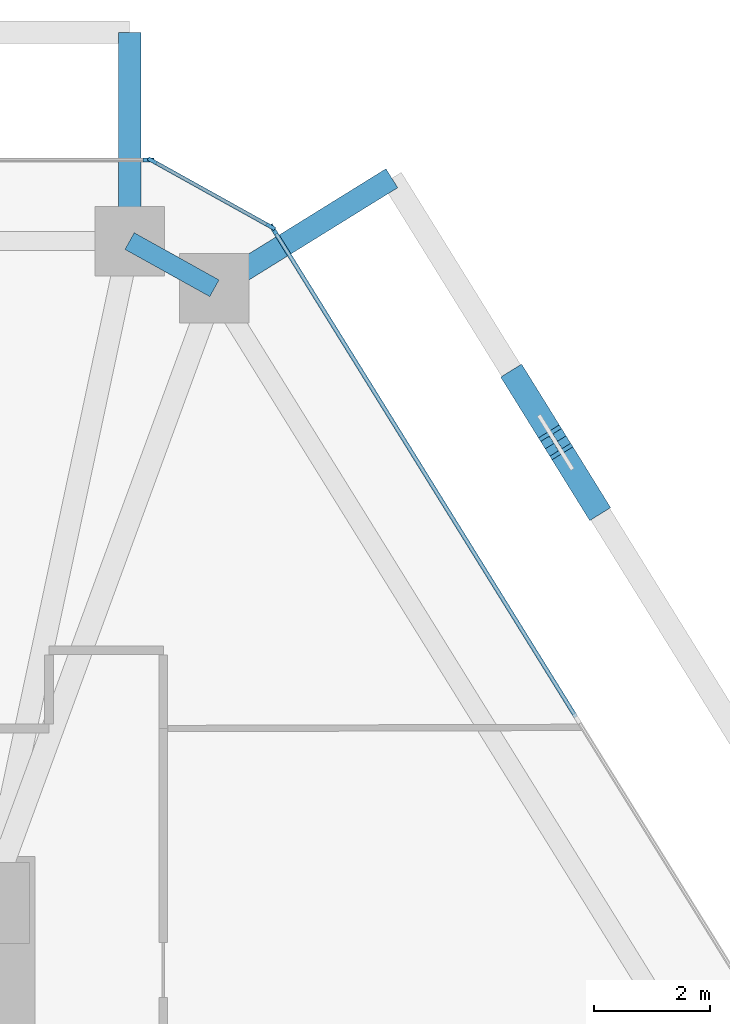
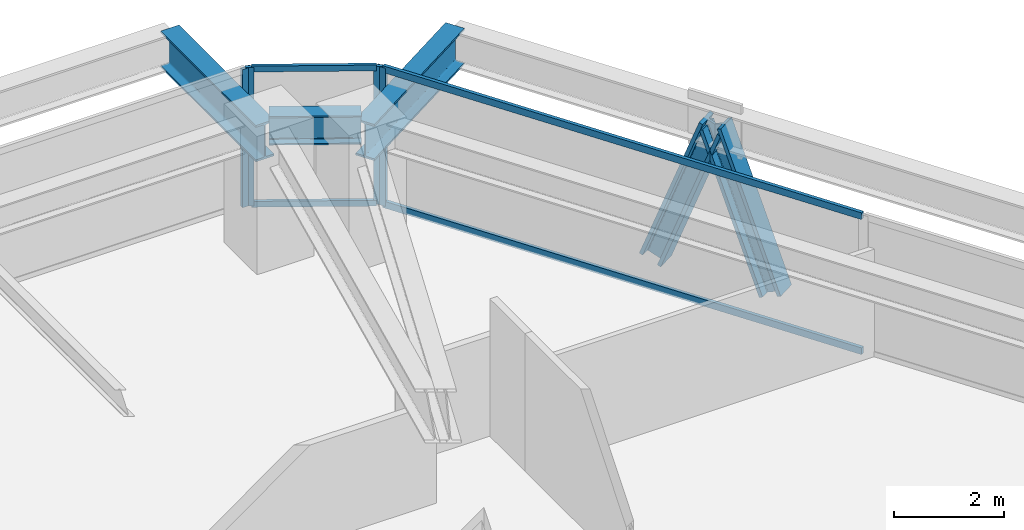
# One storey, part 8 of 15: 10 members, 3 beams, 3 elements without a shape of their own.
"""IFC4 building model written with IfcOpenShell, lengths in metres."""

from ifc_helpers import new_model, si_unit, direction, frame, origin, origin_2d, place, context, subcontext, project, spatial, rectangle, i_section, extrude, source, transform, mapped, material, layer, layer_set, material_profile, profile_set, type_object, type_shapes, element, aggregate, save


model = new_model("IFC4")

# Units and contexts
model_context = context("Model", 3, precision=1e-05, world=origin(), true_north=direction((0.0, 1.0)))
body_context = subcontext(model_context, "Body", "Model", "MODEL_VIEW")
ifc_project = project(units=[si_unit("LENGTHUNIT", "METRE"), si_unit("AREAUNIT", "SQUARE_METRE"), si_unit("VOLUMEUNIT", "CUBIC_METRE"), si_unit("PLANEANGLEUNIT", "RADIAN"), si_unit("MASSUNIT", "GRAM", prefix="KILO")], contexts=[model_context])

# Site, building, storey
site_placement = place(None, origin())
site = spatial("IfcSite", under=ifc_project, at=site_placement, CompositionType="ELEMENT")
building_placement = place(site_placement, origin())
building = spatial("IfcBuilding", under=site, at=building_placement, Name="Durnholm Broadcast Tower", CompositionType="ELEMENT")
storey_placement = place(building_placement, frame((0.0, 0.0, 97.5)))
storey = spatial("IfcBuildingStorey", under=building, at=storey_placement, Name="L25", CompositionType="ELEMENT", Elevation=97.5)

# Beams
ifc_material_1 = material(Name="Steel ASTM A992 Grade 50", Category="steel")
ifc_material_profile_1 = material_profile(ifc_material_1, i_section(OverallWidth=0.385009765625, OverallDepth=0.802978515625, WebThickness=0.023681640625, FlangeThickness=0.0419921875, FilletRadius=0.032958984375, at=origin_2d()), Name="W30X261")
ifc_profile_set_1 = profile_set([ifc_material_profile_1], Name="Steel ASTM A992 Grade 50")
beam_type_1 = type_object("IfcBeamType", Name="BM-EXO-TIE", PredefinedType="USERDEFINED", material=ifc_profile_set_1)
shared_shape_1 = source(origin(), body_context, "Body", "SweptSolid", [
    extrude(i_section(OverallWidth=0.385009765625, OverallDepth=0.802978515625, WebThickness=0.023681640625, FlangeThickness=0.0419921875, FilletRadius=0.032958984375, at=origin_2d()), origin(), (0.0, 0.0, 1.0), 3.4560546875),
])
beam_1_placement = place(storey_placement, frame((12.22998046875, 19.35888671875, 2.30859375), z_axis=(0.0, 1.0, 0.0), x_axis=(-1.0, 0.0, 0.0)))
element("IfcBeam", 1, at=beam_1_placement, inside=storey, type_object=beam_type_1, Name="L25 exoskeleton stand-off tie bracket F4.1", ObjectType="GIRDER", PredefinedType="USERDEFINED", context=body_context, shape_type="MappedRepresentation", body=[
    mapped(shared_shape_1, transform((0.0, 0.0, 0.0), x_axis=(1.0, 0.0, 0.0), y_axis=(0.0, 1.0, 0.0), z_axis=(0.0, 0.0, 1.0), scale=1.0)),
])
shared_shape_2 = source(origin(), body_context, "Body", "SweptSolid", [
    extrude(i_section(OverallWidth=0.385009765625, OverallDepth=0.802978515625, WebThickness=0.023681640625, FlangeThickness=0.0419921875, FilletRadius=0.032958984375, at=origin_2d()), origin(), (0.0, 0.0, 1.0), 3.455810546875),
])
type_shapes(beam_type_1, [shared_shape_1, shared_shape_2])
beam_2_placement = place(storey_placement, frame((13.814697265625, 18.477294921875, 2.30859375), z_axis=(0.849807128357, 0.527093772107, 0.0), x_axis=(-0.527093772107, 0.849807128357, 0.0)))
element("IfcBeam", 2, at=beam_2_placement, inside=storey, type_object=beam_type_1, Name="L25 exoskeleton stand-off tie bracket F3.2", ObjectType="GIRDER", PredefinedType="USERDEFINED", context=body_context, shape_type="MappedRepresentation", body=[
    mapped(shared_shape_2, transform((0.0, 0.0, 0.0), x_axis=(1.0, 0.0, 0.0), y_axis=(0.0, 1.0, 0.0), z_axis=(0.0, 0.0, 1.0), scale=1.0)),
])
ifc_material_profile_2 = material_profile(ifc_material_1, i_section(OverallWidth=0.3291015625, OverallDepth=0.635009765625, WebThickness=0.017822265625, FlangeThickness=0.031005859375, FilletRadius=0.02783203125, at=origin_2d()), Name="W24X162")
ifc_profile_set_2 = profile_set([ifc_material_profile_2], Name="Steel ASTM A992 Grade 50")
beam_type_2 = type_object("IfcBeamType", Name="STL-SP-W24X162", PredefinedType="SPANDREL", material=ifc_profile_set_2)
shared_shape_3 = source(origin(), body_context, "Body", "SweptSolid", [
    extrude(i_section(OverallWidth=0.3291015625, OverallDepth=0.635009765625, WebThickness=0.017822265625, FlangeThickness=0.031005859375, FilletRadius=0.02783203125, at=origin_2d()), origin(), (0.0, 0.0, 1.0), 1.67333984375),
])
type_shapes(beam_type_2, [shared_shape_3])
beam_3_placement = place(storey_placement, frame((12.22998046875, 19.215087890625, 2.7275390625), z_axis=(0.873799169188, -0.486286964586, 0.0), x_axis=(0.486286964586, 0.873799169188, 0.0)))
element("IfcBeam", 3, at=beam_3_placement, inside=storey, type_object=beam_type_2, Name="L25 perimeter spandrel girder 06", PredefinedType="SPANDREL", context=body_context, shape_type="MappedRepresentation", body=[
    mapped(shared_shape_3, transform((0.0, 0.0, 0.0), x_axis=(1.0, 0.0, 0.0), y_axis=(0.0, 1.0, 0.0), z_axis=(0.0, 0.0, 1.0), scale=1.0)),
])

# Members
ifc_material_2 = material(Name="Steel ASTM A913 Grade 65", Category="steel")
ifc_material_profile_3 = material_profile(ifc_material_2, i_section(OverallWidth=0.424072265625, OverallDepth=0.47412109375, WebThickness=0.047607421875, FlangeThickness=0.0771484375, FilletRadius=0.030517578125, at=origin_2d()), Name="W14X426")
ifc_profile_set_3 = profile_set([ifc_material_profile_3], Name="Steel ASTM A913 Grade 65")
member_type_1 = type_object("IfcMemberType", Name="STL-DG-W14X426", PredefinedType="BRACE", material=ifc_profile_set_3)
shared_shape_4 = source(origin(), body_context, "Body", "SweptSolid", [
    extrude(i_section(OverallWidth=0.424072265625, OverallDepth=0.47412109375, WebThickness=0.047607421875, FlangeThickness=0.0771484375, FilletRadius=0.030517578125, at=origin_2d()), origin(), (0.0, 0.0, 1.0), 3.523193359375),
])
member_1_placement = place(storey_placement, frame((18.92578125, 16.793212890625, -0.991455078125), z_axis=(0.184669768468, -0.297619758188, 0.936653381006), x_axis=(0.849716575602, 0.52723973783, 0.0)))
element("IfcMember", 4, at=member_1_placement, inside=storey, type_object=member_type_1, Name="L25 stand-off diagrid brace F3.D2.2", PredefinedType="BRACE", context=body_context, shape_type="MappedRepresentation", body=[
    mapped(shared_shape_4, transform((0.0, 0.0, 0.0), x_axis=(1.0, 0.0, 0.0), y_axis=(0.0, 1.0, 0.0), z_axis=(0.0, 0.0, 1.0), scale=1.0)),
])
shared_shape_5 = source(origin(), body_context, "Body", "SweptSolid", [
    extrude(i_section(OverallWidth=0.424072265625, OverallDepth=0.47412109375, WebThickness=0.047607421875, FlangeThickness=0.0771484375, FilletRadius=0.030517578125, at=origin_2d()), origin(), (0.0, 0.0, 1.0), 3.52294921875),
])
type_shapes(member_type_1, [shared_shape_4, shared_shape_5])
member_2_placement = place(storey_placement, frame((20.2265625, 14.6962890625, -0.991455078125), z_axis=(-0.184539706302, 0.297564212865, 0.936696661689), x_axis=(-0.849838868368, -0.527042595823, 0.0)))
element("IfcMember", 5, at=member_2_placement, inside=storey, type_object=member_type_1, Name="L25 stand-off diagrid brace F3.D2.1", PredefinedType="BRACE", context=body_context, shape_type="MappedRepresentation", body=[
    mapped(shared_shape_5, transform((0.0, 0.0, 0.0), x_axis=(1.0, 0.0, 0.0), y_axis=(0.0, 1.0, 0.0), z_axis=(0.0, 0.0, 1.0), scale=1.0)),
])

# Curtain wall, members
ifc_material_3 = material(Name="Aluminium and Solar Control IGU", Category="aluminium")
ifc_layer_1 = layer(ifc_material_3, 0.1650390625)
ifc_layer_set_1 = layer_set([ifc_layer_1], Name="Aluminium and Solar Control IGU")
curtain_wall_type_1 = type_object("IfcCurtainWallType", Name="CW-SYS-5", PredefinedType="NOTDEFINED", material=ifc_layer_set_1)
curtain_wall_1_placement = place(storey_placement, origin())
curtain_wall_1 = element("IfcCurtainWall", 6, at=curtain_wall_1_placement, inside=storey, type_object=curtain_wall_type_1, Name="L25 curtain wall CW-CORNER CW-L25-CRN-05", PredefinedType="NOTDEFINED")
ifc_material_4 = material(Name="Aluminium 6063-T6", Category="aluminium")
ifc_material_profile_4 = material_profile(ifc_material_4, rectangle(XDim=0.06494140625, YDim=0.1650390625, at=origin_2d()), Name="CWM65X165")
ifc_profile_set_4 = profile_set([ifc_material_profile_4], Name="Aluminium 6063-T6")
member_type_2 = type_object("IfcMemberType", Name="CW-SYS-5-MUL", PredefinedType="MULLION", material=ifc_profile_set_4)
shared_shape_6 = source(origin(), body_context, "Body", "SweptSolid", [
    extrude(rectangle(XDim=0.06494140625, YDim=0.1650390625, at=origin_2d()), origin(), (0.0, 0.0, 1.0), 3.06005859375),
])
type_shapes(member_type_2, [shared_shape_6])
member_3_placement = place(storey_placement, frame((12.62158203125, 20.59912109375, 0.0), z_axis=(0.0, 0.0, 1.0), x_axis=(0.486244224192, 0.873822953715, 0.0)))
member_3 = element("IfcMember", 7, at=member_3_placement, type_object=member_type_2, Name="CW-CORNER mullion 1", PredefinedType="MULLION", context=body_context, shape_type="MappedRepresentation", body=[
    mapped(shared_shape_6, transform((0.0, 0.0, 0.0), x_axis=(1.0, 0.0, 0.0), y_axis=(0.0, 1.0, 0.0), z_axis=(0.0, 0.0, 1.0), scale=1.0)),
])
member_4_placement = place(storey_placement, frame((14.662109375, 19.4638671875, 0.0), z_axis=(0.0, 0.0, 1.0), x_axis=(0.486244224192, 0.873822953715, 0.0)))
member_4 = element("IfcMember", 8, at=member_4_placement, type_object=member_type_2, Name="CW-CORNER mullion 2", PredefinedType="MULLION", context=body_context, shape_type="MappedRepresentation", body=[
    mapped(shared_shape_6, transform((0.0, 0.0, 0.0), x_axis=(1.0, 0.0, 0.0), y_axis=(0.0, 1.0, 0.0), z_axis=(0.0, 0.0, 1.0), scale=1.0)),
])

# Curtain wall, member
ifc_layer_2 = layer(ifc_material_3, 0.18994140625)
ifc_layer_set_2 = layer_set([ifc_layer_2], Name="Aluminium and Solar Control IGU")
curtain_wall_type_2 = type_object("IfcCurtainWallType", Name="CW-SYS-3", PredefinedType="NOTDEFINED", material=ifc_layer_set_2)
curtain_wall_2_placement = place(storey_placement, origin())
curtain_wall_2 = element("IfcCurtainWall", 9, at=curtain_wall_2_placement, inside=storey, type_object=curtain_wall_type_2, Name="L25 curtain wall CW-Z12-VIS CW-L25-F04", PredefinedType="NOTDEFINED")
ifc_material_profile_5 = material_profile(ifc_material_4, rectangle(XDim=0.070068359375, YDim=0.18994140625, at=origin_2d()), Name="CWM70X190")
ifc_profile_set_5 = profile_set([ifc_material_profile_5], Name="Aluminium 6063-T6")
member_type_3 = type_object("IfcMemberType", Name="CW-SYS-3-MUL", PredefinedType="MULLION", material=ifc_profile_set_5)
shared_shape_7 = source(origin(), body_context, "Body", "SweptSolid", [
    extrude(rectangle(XDim=0.070068359375, YDim=0.18994140625, at=origin_2d()), origin(), (0.0, 0.0, 1.0), 3.06005859375),
])
type_shapes(member_type_3, [shared_shape_7])
member_5_placement = place(storey_placement, frame((12.55810546875, 20.614990234375, 0.0), z_axis=(0.0, 0.0, 1.0), x_axis=(0.0, 1.0, 0.0)))
member_5 = element("IfcMember", 10, at=member_5_placement, type_object=member_type_3, Name="CW-Z12-VIS mullion 3", PredefinedType="MULLION", context=body_context, shape_type="MappedRepresentation", body=[
    mapped(shared_shape_7, transform((0.0, 0.0, 0.0), x_axis=(1.0, 0.0, 0.0), y_axis=(0.0, 1.0, 0.0), z_axis=(0.0, 0.0, 1.0), scale=1.0)),
])
aggregate(curtain_wall_2, [member_5])

curtain_wall_3_placement = place(storey_placement, origin())
curtain_wall_3 = element("IfcCurtainWall", 11, at=curtain_wall_3_placement, inside=storey, type_object=curtain_wall_type_2, Name="L25 curtain wall CW-Z12-VIS CW-L25-F06", PredefinedType="NOTDEFINED")
member_6_placement = place(storey_placement, frame((14.708740234375, 19.418212890625, 0.0), z_axis=(0.0, 0.0, 1.0), x_axis=(0.849799925229, 0.527105385176, 0.0)))
member_6 = element("IfcMember", 12, at=member_6_placement, type_object=member_type_3, Name="CW-Z12-VIS mullion 1", PredefinedType="MULLION", context=body_context, shape_type="MappedRepresentation", body=[
    mapped(shared_shape_7, transform((0.0, 0.0, 0.0), x_axis=(1.0, 0.0, 0.0), y_axis=(0.0, 1.0, 0.0), z_axis=(0.0, 0.0, 1.0), scale=1.0)),
])

# Member
ifc_material_profile_6 = material_profile(ifc_material_4, rectangle(XDim=0.06494140625, YDim=0.1298828125, at=origin_2d()), Name="CWT65X130")
ifc_profile_set_6 = profile_set([ifc_material_profile_6], Name="Aluminium 6063-T6")
member_type_4 = type_object("IfcMemberType", Name="CW-SYS-5-TRN", PredefinedType="USERDEFINED", material=ifc_profile_set_6)
shared_shape_8 = source(origin(), body_context, "Body", "SweptSolid", [
    extrude(rectangle(XDim=0.06494140625, YDim=0.1298828125, at=origin_2d()), origin(), (0.0, 0.0, 1.0), 2.270263671875),
])
type_shapes(member_type_4, [shared_shape_8])
member_7_placement = place(storey_placement, frame((12.64990234375, 20.58349609375, 0.032470703125), z_axis=(0.873786708897, -0.486309353555, 0.0), x_axis=(0.486309353555, 0.873786708897, 0.0)))
member_7 = element("IfcMember", 13, at=member_7_placement, type_object=member_type_4, Name="CW-CORNER transom 1.1", ObjectType="TRANSOM", PredefinedType="USERDEFINED", context=body_context, shape_type="MappedRepresentation", body=[
    mapped(shared_shape_8, transform((0.0, 0.0, 0.0), x_axis=(1.0, 0.0, 0.0), y_axis=(0.0, 1.0, 0.0), z_axis=(0.0, 0.0, 1.0), scale=1.0)),
])

member_8_placement = place(storey_placement, frame((12.64990234375, 20.58349609375, 3.027587890625), z_axis=(0.873786708897, -0.486309353555, 0.0), x_axis=(0.486309353555, 0.873786708897, 0.0)))
member_8 = element("IfcMember", 14, at=member_8_placement, type_object=member_type_4, Name="CW-CORNER transom 1.2", ObjectType="TRANSOM", PredefinedType="USERDEFINED", context=body_context, shape_type="MappedRepresentation", body=[
    mapped(shared_shape_8, transform((0.0, 0.0, 0.0), x_axis=(1.0, 0.0, 0.0), y_axis=(0.0, 1.0, 0.0), z_axis=(0.0, 0.0, 1.0), scale=1.0)),
])

aggregate(curtain_wall_1, [member_3, member_4, member_7, member_8])

ifc_material_profile_7 = material_profile(ifc_material_4, rectangle(XDim=0.070068359375, YDim=0.14990234375, at=origin_2d()), Name="CWT70X150")
ifc_profile_set_7 = profile_set([ifc_material_profile_7], Name="Aluminium 6063-T6")
member_type_5 = type_object("IfcMemberType", Name="CW-SYS-3-TRN", PredefinedType="USERDEFINED", material=ifc_profile_set_7)
shared_shape_9 = source(origin(), body_context, "Body", "SweptSolid", [
    extrude(rectangle(XDim=0.070068359375, YDim=0.14990234375, at=origin_2d()), origin(), (0.0, 0.0, 1.0), 9.858642578125),
])
type_shapes(member_type_5, [shared_shape_9])
member_9_placement = place(storey_placement, frame((14.727294921875, 19.388427734375, 0.034912109375), z_axis=(0.527102081419, -0.849801974441, 0.0), x_axis=(0.849801974441, 0.527102081419, 0.0)))
member_9 = element("IfcMember", 15, at=member_9_placement, type_object=member_type_5, Name="CW-Z12-VIS transom 1.1", ObjectType="TRANSOM", PredefinedType="USERDEFINED", context=body_context, shape_type="MappedRepresentation", body=[
    mapped(shared_shape_9, transform((0.0, 0.0, 0.0), x_axis=(1.0, 0.0, 0.0), y_axis=(0.0, 1.0, 0.0), z_axis=(0.0, 0.0, 1.0), scale=1.0)),
])

member_10_placement = place(storey_placement, frame((14.727294921875, 19.388427734375, 3.02490234375), z_axis=(0.527102081419, -0.849801974441, 0.0), x_axis=(0.849801974441, 0.527102081419, 0.0)))
member_10 = element("IfcMember", 16, at=member_10_placement, type_object=member_type_5, Name="CW-Z12-VIS transom 1.2", ObjectType="TRANSOM", PredefinedType="USERDEFINED", context=body_context, shape_type="MappedRepresentation", body=[
    mapped(shared_shape_9, transform((0.0, 0.0, 0.0), x_axis=(1.0, 0.0, 0.0), y_axis=(0.0, 1.0, 0.0), z_axis=(0.0, 0.0, 1.0), scale=1.0)),
])

aggregate(curtain_wall_3, [member_6, member_9, member_10])

save(model, "model.ifc")
